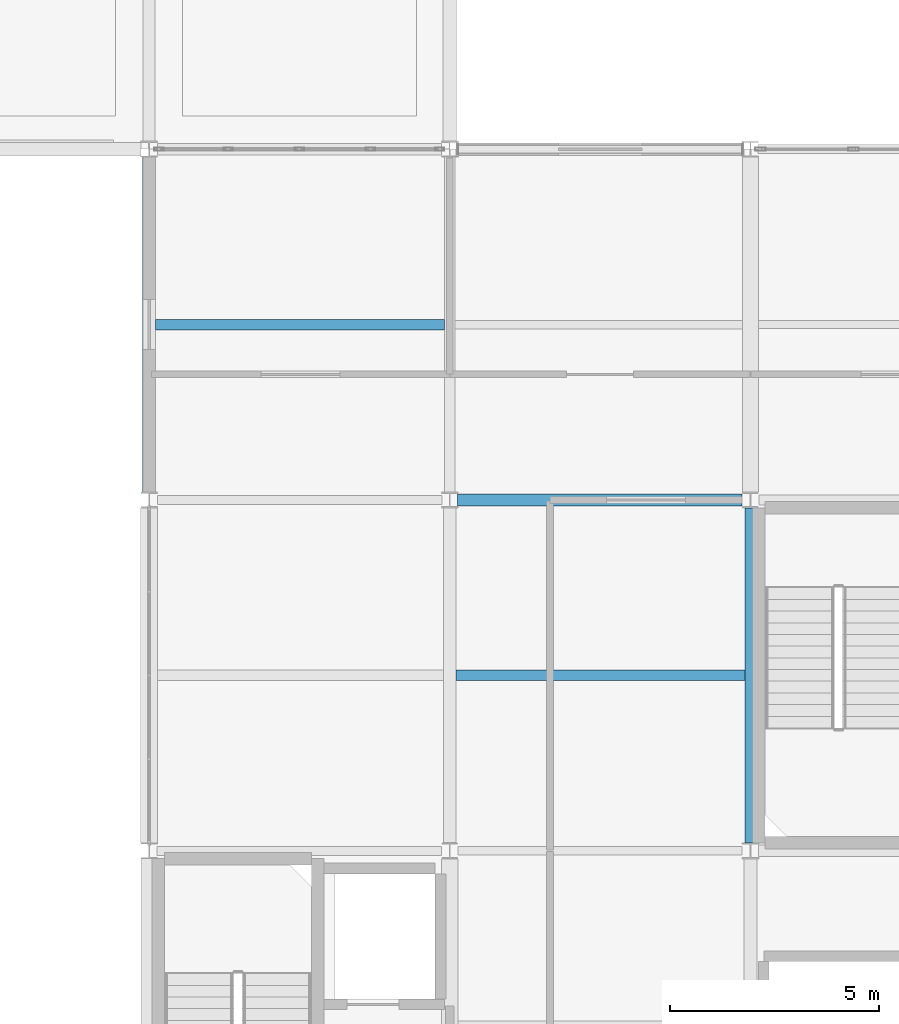
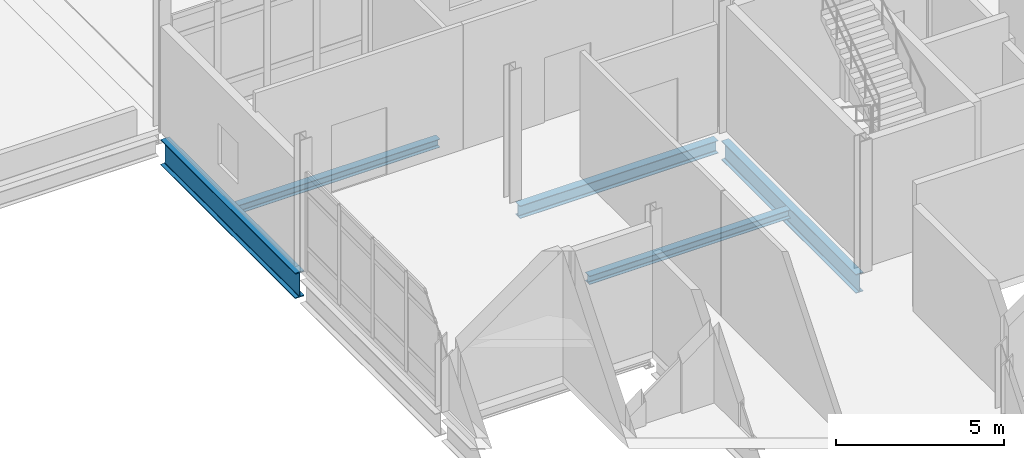
# One storey, part 49 of 153: 5 beams.
"""IFC4 building model written with IfcOpenShell, lengths in metres."""

from ifc_helpers import new_model, si_unit, direction, frame, origin, origin_2d, place, context, subcontext, project, spatial, i_section, extrude, material, material_profile, profile_set, type_object, element, save


model = new_model("IFC4")

# Units and contexts
model_context = context("Model", 3, precision=1e-05, world=origin(), true_north=direction((0.0, 1.0)))
body_context = subcontext(model_context, "Body", "Model", "MODEL_VIEW")
ifc_project = project(units=[si_unit("LENGTHUNIT", "METRE"), si_unit("AREAUNIT", "SQUARE_METRE"), si_unit("VOLUMEUNIT", "CUBIC_METRE"), si_unit("PLANEANGLEUNIT", "RADIAN"), si_unit("MASSUNIT", "GRAM", prefix="KILO")], contexts=[model_context])

# Site, building, storey
site_placement = place(None, origin())
site = spatial("IfcSite", under=ifc_project, at=site_placement, CompositionType="ELEMENT")
building_placement = place(site_placement, origin())
building = spatial("IfcBuilding", under=site, at=building_placement, Name="Calvrana Isthmian Art Gallery", CompositionType="ELEMENT")
storey_placement = place(building_placement, frame((0.0, 0.0, 10.199951171875)))
storey = spatial("IfcBuildingStorey", under=building, at=storey_placement, Name="L02", CompositionType="ELEMENT", Elevation=10.199951171875)

# Beams
ifc_material = material(Name="Steel ASTM A992 Gr 50", Category="steel")
ifc_material_profile_1 = material_profile(ifc_material, i_section(OverallWidth=0.279052734375, OverallDepth=0.4619140625, WebThickness=0.0107421875, FlangeThickness=0.017333984375, FilletRadius=0.02001953125, at=origin_2d()), Name="W18X76")
ifc_profile_set_1 = profile_set([ifc_material_profile_1], Name="Steel ASTM A992 Gr 50")
beam_type_1 = type_object("IfcBeamType", Name="BM-G-W18X76", PredefinedType="BEAM", material=ifc_profile_set_1)
beam_1_placement = place(storey_placement, frame((120.1865234375, 38.39990234375, -0.495849609375), z_axis=(1.0, 0.0, 0.0), x_axis=(0.0, 1.0, 0.0)))
element("IfcBeam", 1, at=beam_1_placement, inside=storey, type_object=beam_type_1, Name="Girder X L02 16-17/F", PredefinedType="BEAM", context=body_context, shape_type="SweptSolid", body=[
    extrude(i_section(OverallWidth=0.279052734375, OverallDepth=0.4619140625, WebThickness=0.0107421875, FlangeThickness=0.017333984375, FilletRadius=0.02001953125, at=origin_2d()), origin(), (0.0, 0.0, 1.0), 6.81396484375),
])
ifc_material_profile_2 = material_profile(ifc_material, i_section(OverallWidth=0.257080078125, OverallDepth=0.693115234375, WebThickness=0.014404296875, FlangeThickness=0.023681640625, FilletRadius=0.02392578125, at=origin_2d()), Name="W27X114")
ifc_profile_set_2 = profile_set([ifc_material_profile_2], Name="Steel ASTM A992 Gr 50")
beam_type_2 = type_object("IfcBeamType", Name="BM-G-W27X114", PredefinedType="BEAM", material=ifc_profile_set_2)
beam_2_placement = place(storey_placement, frame((127.199951171875, 30.1904296875, -0.611572265625), z_axis=(0.0, 1.0, 0.0), x_axis=(-1.0, 0.0, 0.0)))
element("IfcBeam", 2, at=beam_2_placement, inside=storey, type_object=beam_type_2, Name="Girder Y L02 17/E-F", PredefinedType="BEAM", context=body_context, shape_type="SweptSolid", body=[
    extrude(i_section(OverallWidth=0.257080078125, OverallDepth=0.693115234375, WebThickness=0.014404296875, FlangeThickness=0.023681640625, FilletRadius=0.02392578125, at=origin_2d()), origin(), (0.0, 0.0, 1.0), 8.0166015625),
])
ifc_material_profile_3 = material_profile(ifc_material, i_section(OverallWidth=0.306884765625, OverallDepth=0.927001953125, WebThickness=0.019287109375, FlangeThickness=0.031982421875, FilletRadius=0.028076171875, at=origin_2d()), Name="W36X194")
ifc_profile_set_3 = profile_set([ifc_material_profile_3], Name="Steel ASTM A992 Gr 50")
beam_type_3 = type_object("IfcBeamType", Name="BM-G-W36X194", PredefinedType="BEAM", material=ifc_profile_set_3)
beam_3_placement = place(storey_placement, frame((112.800048828125, 38.587890625, -0.728515625), z_axis=(0.0, 1.0, 0.0), x_axis=(-1.0, 0.0, 0.0)))
element("IfcBeam", 3, at=beam_3_placement, inside=storey, type_object=beam_type_3, Name="Girder Y L02 15/F-G", PredefinedType="BEAM", context=body_context, shape_type="SweptSolid", body=[
    extrude(i_section(OverallWidth=0.306884765625, OverallDepth=0.927001953125, WebThickness=0.019287109375, FlangeThickness=0.031982421875, FilletRadius=0.028076171875, at=origin_2d()), origin(), (0.0, 0.0, 1.0), 8.021728515625),
])
ifc_material_profile_4 = material_profile(ifc_material, i_section(OverallWidth=0.25390625, OverallDepth=0.306884765625, WebThickness=0.0087890625, FlangeThickness=0.0146484375, FilletRadius=0.01611328125, at=origin_2d()), Name="W12X53")
ifc_profile_set_4 = profile_set([ifc_material_profile_4], Name="Steel ASTM A992 Gr 50")
beam_type_4 = type_object("IfcBeamType", Name="BM-J-W12X53", PredefinedType="JOIST", material=ifc_profile_set_4)
for number, where, z_axis, x_axis, name in (
    (4, (112.95361328125, 42.60009765625, -0.41845703125), (1.0, 0.0, 0.0), (0.0, 1.0, 0.0), "Composite joist L02 bay 14-05"),
    (5, (120.153564453125, 34.199951171875, -0.41845703125), (1.0, 0.0, 0.0), (0.0, 1.0, 0.0), "Composite joist L02 bay 15-04"),
):
    element("IfcBeam", number, at=place(storey_placement, frame(where, z_axis=z_axis, x_axis=x_axis)), inside=storey, type_object=beam_type_4, Name=name, PredefinedType="JOIST", context=body_context, shape_type="SweptSolid", body=[
        extrude(i_section(OverallWidth=0.25390625, OverallDepth=0.306884765625, WebThickness=0.0087890625, FlangeThickness=0.0146484375, FilletRadius=0.01611328125, at=origin_2d()), origin(), (0.0, 0.0, 1.0), 6.91796875),
    ])

save(model, "model.ifc")
